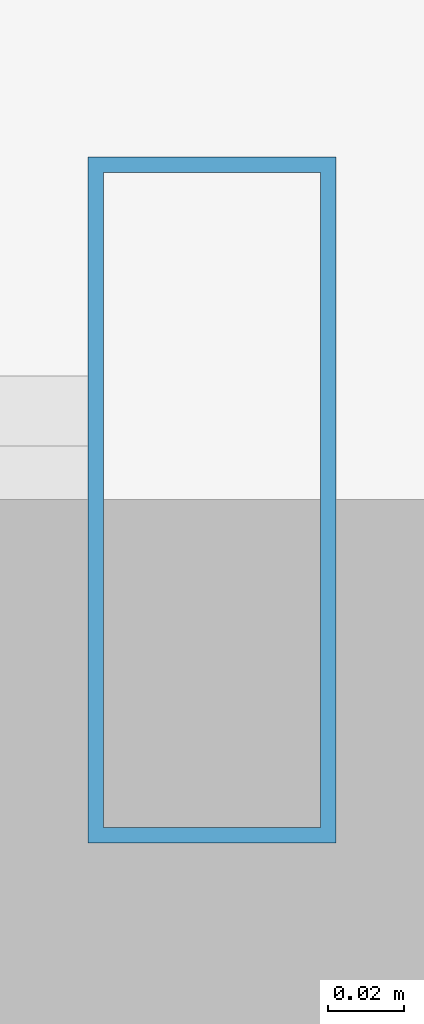
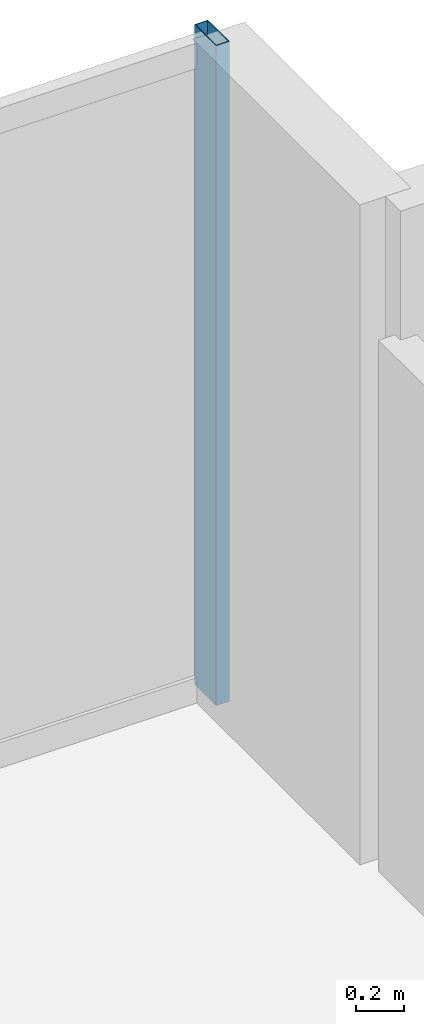
# One storey, part 26 of 35: 1 member, 1 element without a shape of its own.
"""IFC4 building model written with IfcOpenShell, lengths in metres."""

from ifc_helpers import new_model, si_unit, direction, frame, origin, origin_2d, place, context, subcontext, project, spatial, hollow_rectangle, extrude, source, transform, mapped, material, material_profile, profile_set, type_object, element, aggregate, save


model = new_model("IFC4")

# Units and contexts
model_context = context("Model", 3, precision=1e-05, world=origin(), true_north=direction((0.0, 1.0)))
body_context = subcontext(model_context, "Body", "Model", "MODEL_VIEW")
ifc_project = project(units=[si_unit("LENGTHUNIT", "METRE"), si_unit("AREAUNIT", "SQUARE_METRE"), si_unit("VOLUMEUNIT", "CUBIC_METRE"), si_unit("PLANEANGLEUNIT", "RADIAN"), si_unit("MASSUNIT", "GRAM", prefix="KILO")], contexts=[model_context])

# Site, building, storey
site_placement = place(None, origin())
site = spatial("IfcSite", under=ifc_project, at=site_placement, CompositionType="ELEMENT")
building_placement = place(site_placement, origin())
building = spatial("IfcBuilding", under=site, at=building_placement, Name="Nahalor Promenade Grand Hotel", CompositionType="ELEMENT")
storey_placement = place(building_placement, frame((0.0, 0.0, 106.550048828125)))
storey = spatial("IfcBuildingStorey", under=building, at=storey_placement, Name="L26", CompositionType="ELEMENT", Elevation=106.550048828125)

# Curtain wall, member
ifc_material = material(Name="Anodised Bronze Aluminium EN AW-6063 T6", Category="aluminium")
curtain_wall_type = type_object("IfcCurtainWallType", Name="CW2 Typical Hotel Flush Bronze Unitised Curtain Wall", PredefinedType="USERDEFINED", material=ifc_material)
curtain_wall_placement = place(storey_placement, origin())
curtain_wall = element("IfcCurtainWall", 1, at=curtain_wall_placement, inside=storey, type_object=curtain_wall_type, Name="L26 Curtain Wall CW-L26-N-3", ObjectType="UNITISED_CURTAIN_WALL", PredefinedType="USERDEFINED")
ifc_material_profile = material_profile(ifc_material, hollow_rectangle(XDim=0.065, YDim=0.18, WallThickness=0.004, at=origin_2d()), Name="CWM 65x180x4")
ifc_profile_set = profile_set([ifc_material_profile], Name="Anodised Bronze Aluminium EN AW-6063 T6")
member_type = type_object("IfcMemberType", Name="CWM2 Typical Bronze Mullion 65x180", PredefinedType="MULLION", material=ifc_profile_set)
shared_shape = source(origin(), body_context, "Body", "SweptSolid", [
    extrude(hollow_rectangle(XDim=0.065, YDim=0.18, WallThickness=0.004, at=origin_2d()), origin(), (0.0, 0.0, 1.0), 3.3798828125),
])
member_placement = place(storey_placement, frame((21.027587890625, 23.860107421875, 0.0), z_axis=(0.0, 0.0, 1.0), x_axis=(1.0, 0.0, 0.0)))
member = element("IfcMember", 2, at=member_placement, type_object=member_type, Name="CW-L26-N-3 Mullion 3", PredefinedType="MULLION", context=body_context, shape_type="MappedRepresentation", body=[
    mapped(shared_shape, transform((0.0, 0.0, 0.0), scale=1.0)),
])
aggregate(curtain_wall, [member])

save(model, "model.ifc")
